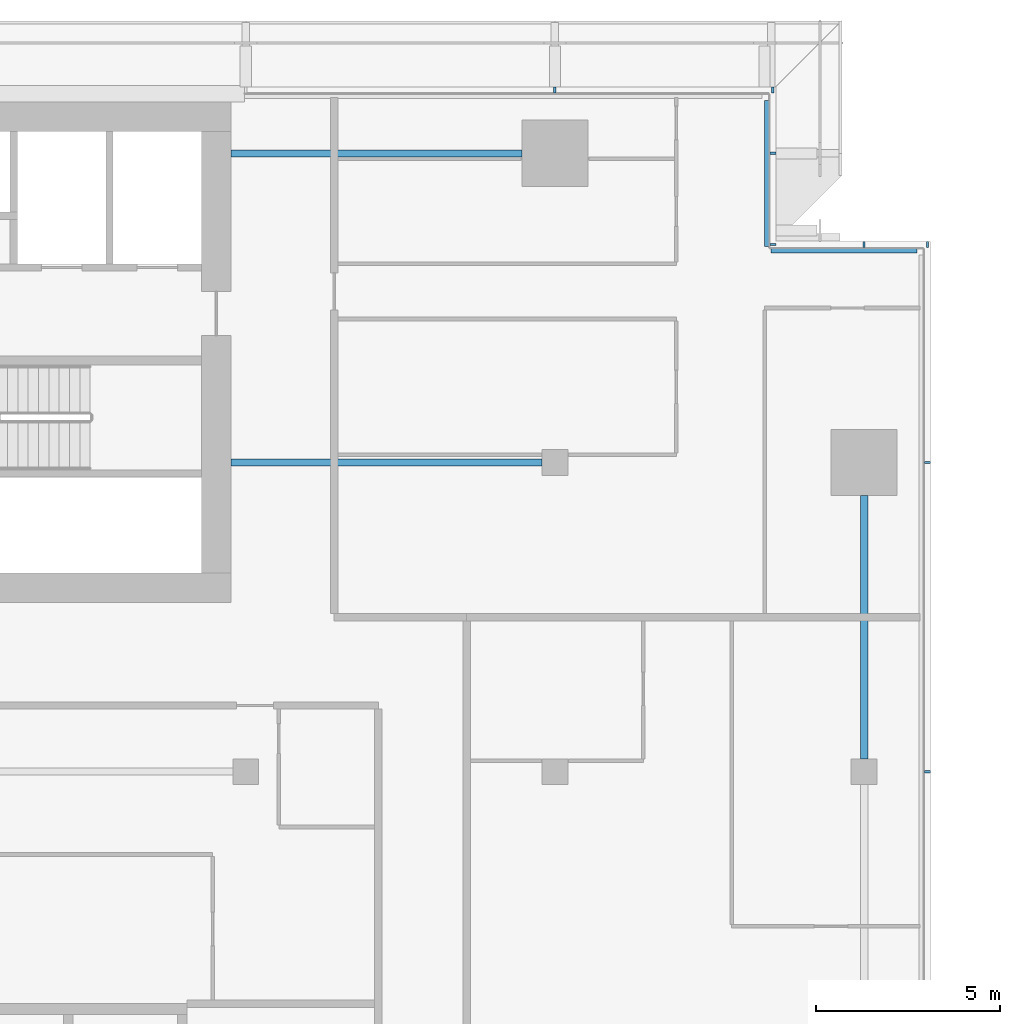
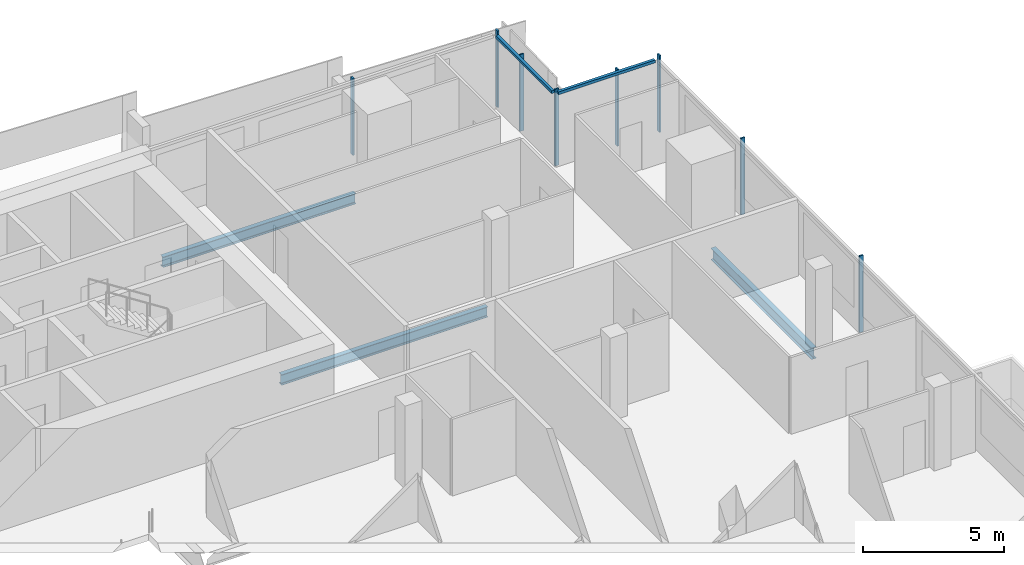
# One storey, part 13 of 30: 10 members, 3 beams, 4 elements without a shape of their own.
"""IFC4 building model written with IfcOpenShell, lengths in metres."""

from ifc_helpers import new_model, si_unit, direction, frame, origin, origin_2d, place, context, subcontext, project, spatial, rectangle, i_section, extrude, material, material_profile, profile_set, type_object, element, aggregate, save


model = new_model("IFC4")

# Units and contexts
model_context = context("Model", 3, precision=1e-05, world=origin(), true_north=direction((0.0, 1.0)))
body_context = subcontext(model_context, "Body", "Model", "MODEL_VIEW")
ifc_project = project(units=[si_unit("LENGTHUNIT", "METRE"), si_unit("AREAUNIT", "SQUARE_METRE"), si_unit("VOLUMEUNIT", "CUBIC_METRE"), si_unit("PLANEANGLEUNIT", "RADIAN"), si_unit("MASSUNIT", "GRAM", prefix="KILO")], contexts=[model_context])

# Site, building, storey
site_placement = place(None, origin())
site = spatial("IfcSite", under=ifc_project, at=site_placement, CompositionType="ELEMENT")
building_placement = place(site_placement, origin())
building = spatial("IfcBuilding", under=site, at=building_placement, Name="Saffron Gate Tower", CompositionType="ELEMENT")
storey_placement = place(building_placement, frame((0.0, 0.0, 169.050048828125)))
storey = spatial("IfcBuildingStorey", under=building, at=storey_placement, Name="L41", CompositionType="ELEMENT", Elevation=169.050048828125)

# Beams
ifc_material_1 = material(Name="Structural steel S355", Category="steel")
ifc_material_profile_1 = material_profile(ifc_material_1, i_section(OverallWidth=0.199951171875, OverallDepth=0.5, WebThickness=0.01025390625, FlangeThickness=0.01611328125, FilletRadius=0.02099609375, at=origin_2d()))
ifc_profile_set_1 = profile_set([ifc_material_profile_1], Name="Structural steel S355")
beam_type_1 = type_object("IfcBeamType", Name="B11 IPE 500", PredefinedType="SPANDREL", material=ifc_profile_set_1)
beam_1_placement = place(storey_placement, frame((125.39990234375, 57.35009765625, -0.530029296875), z_axis=(0.0, 1.0, 0.0), x_axis=(-1.0, 0.0, 0.0)))
element("IfcBeam", 1, at=beam_1_placement, inside=storey, type_object=beam_type_1, Name="B11 SPANDREL BEAM", PredefinedType="SPANDREL", context=body_context, shape_type="SweptSolid", body=[
    extrude(i_section(OverallWidth=0.199951171875, OverallDepth=0.5, WebThickness=0.01025390625, FlangeThickness=0.01611328125, FilletRadius=0.02099609375, at=origin_2d()), origin(), (0.0, 0.0, 1.0), 7.14990234375),
])
ifc_material_profile_2 = material_profile(ifc_material_1, i_section(OverallWidth=0.18994140625, OverallDepth=0.449951171875, WebThickness=0.009521484375, FlangeThickness=0.0146484375, FilletRadius=0.02099609375, at=origin_2d()))
ifc_profile_set_2 = profile_set([ifc_material_profile_2], Name="Structural steel S355")
beam_type_2 = type_object("IfcBeamType", Name="B6 IPE 450", PredefinedType="BEAM", material=ifc_profile_set_2)
beam_2_placement = place(storey_placement, frame((116.64990234375, 65.39990234375, -0.505126953125), z_axis=(-1.0, 0.0, 0.0), x_axis=(0.0, -1.0, 0.0)))
element("IfcBeam", 2, at=beam_2_placement, inside=storey, type_object=beam_type_2, Name="B6 CORE TIE BEAM", PredefinedType="BEAM", context=body_context, shape_type="SweptSolid", body=[
    extrude(i_section(OverallWidth=0.18994140625, OverallDepth=0.449951171875, WebThickness=0.009521484375, FlangeThickness=0.0146484375, FilletRadius=0.02099609375, at=origin_2d()), origin(), (0.0, 0.0, 1.0), 8.449951171875),
])
beam_3_placement = place(storey_placement, frame((116.10009765625, 73.800048828125, -0.505126953125), z_axis=(-1.0, 0.0, 0.0), x_axis=(0.0, -1.0, 0.0)))
element("IfcBeam", 3, at=beam_3_placement, inside=storey, type_object=beam_type_2, Name="B6 CORE TIE BEAM", PredefinedType="BEAM", context=body_context, shape_type="SweptSolid", body=[
    extrude(i_section(OverallWidth=0.18994140625, OverallDepth=0.449951171875, WebThickness=0.009521484375, FlangeThickness=0.0146484375, FilletRadius=0.02099609375, at=origin_2d()), origin(), (0.0, 0.0, 1.0), 7.900146484375),
])

# Curtain wall, members
ifc_material_2 = material(Name="Aluminium, bronze anodised", Category="aluminium")
curtain_wall_type_1 = type_object("IfcCurtainWallType", Name="CWS2 curtain wall side facades", PredefinedType="NOTDEFINED", material=ifc_material_2)
curtain_wall_1_placement = place(storey_placement, origin())
curtain_wall_1 = element("IfcCurtainWall", 4, at=curtain_wall_1_placement, inside=storey, type_object=curtain_wall_type_1, Name="CWS2 run 4", PredefinedType="NOTDEFINED")
ifc_material_profile_3 = material_profile(ifc_material_2, rectangle(XDim=0.159912109375, YDim=0.06005859375, at=origin_2d()))
ifc_profile_set_3 = profile_set([ifc_material_profile_3], Name="Aluminium, bronze anodised")
member_type_1 = type_object("IfcMemberType", Name="CWS2 mullion 60x160", PredefinedType="MULLION", material=ifc_profile_set_3)
member_1_placement = place(storey_placement, frame((127.1201171875, 57.0, 0.0), z_axis=(0.0, 0.0, 1.0), x_axis=(-1.0, 0.0, 0.0)))
member_1 = element("IfcMember", 5, at=member_1_placement, type_object=member_type_1, Name="CWS2 mullion 4", PredefinedType="MULLION", context=body_context, shape_type="SweptSolid", body=[
    extrude(rectangle(XDim=0.159912109375, YDim=0.06005859375, at=origin_2d()), origin(), (0.0, 0.0, 1.0), 3.320068359375),
])
member_2_placement = place(storey_placement, frame((127.1201171875, 65.39990234375, 0.0), z_axis=(0.0, 0.0, 1.0), x_axis=(-1.0, 0.0, 0.0)))
member_2 = element("IfcMember", 6, at=member_2_placement, type_object=member_type_1, Name="CWS2 mullion 5", PredefinedType="MULLION", context=body_context, shape_type="SweptSolid", body=[
    extrude(rectangle(XDim=0.159912109375, YDim=0.06005859375, at=origin_2d()), origin(), (0.0, 0.0, 1.0), 3.320068359375),
])
aggregate(curtain_wall_1, [member_1, member_2])

curtain_wall_type_2 = type_object("IfcCurtainWallType", Name="CWS3 curtain wall rear facade", PredefinedType="NOTDEFINED", material=ifc_material_2)
curtain_wall_2_placement = place(storey_placement, origin())
curtain_wall_2 = element("IfcCurtainWall", 7, at=curtain_wall_2_placement, inside=storey, type_object=curtain_wall_type_2, Name="CWS3 run 7", PredefinedType="NOTDEFINED")
ifc_material_profile_4 = material_profile(ifc_material_2, rectangle(XDim=0.159912109375, YDim=0.070068359375, at=origin_2d()))
ifc_profile_set_4 = profile_set([ifc_material_profile_4], Name="Aluminium, bronze anodised")
member_type_2 = type_object("IfcMemberType", Name="CWS3 mullion 70x160", PredefinedType="MULLION", material=ifc_profile_set_4)
member_3_placement = place(storey_placement, frame((122.919921875, 75.52001953125, 0.0), z_axis=(0.0, 0.0, 1.0), x_axis=(0.0, -1.0, 0.0)))
member_3 = element("IfcMember", 8, at=member_3_placement, type_object=member_type_2, Name="CWS3 mullion 1", PredefinedType="MULLION", context=body_context, shape_type="SweptSolid", body=[
    extrude(rectangle(XDim=0.159912109375, YDim=0.070068359375, at=origin_2d()), origin(), (0.0, 0.0, 1.0), 3.320068359375),
])
member_4_placement = place(storey_placement, frame((117.0, 75.52001953125, 0.0), z_axis=(0.0, 0.0, 1.0), x_axis=(0.0, -1.0, 0.0)))
member_4 = element("IfcMember", 9, at=member_4_placement, type_object=member_type_2, Name="CWS3 mullion 2", PredefinedType="MULLION", context=body_context, shape_type="SweptSolid", body=[
    extrude(rectangle(XDim=0.159912109375, YDim=0.070068359375, at=origin_2d()), origin(), (0.0, 0.0, 1.0), 3.320068359375),
])
aggregate(curtain_wall_2, [member_3, member_4])

# Curtain wall, member
curtain_wall_type_3 = type_object("IfcCurtainWallType", Name="CWS4 curtain wall corner returns", PredefinedType="NOTDEFINED", material=ifc_material_2)
curtain_wall_3_placement = place(storey_placement, origin())
curtain_wall_3 = element("IfcCurtainWall", 10, at=curtain_wall_3_placement, inside=storey, type_object=curtain_wall_type_3, Name="CWS4 run 5", PredefinedType="NOTDEFINED")
ifc_material_profile_5 = material_profile(ifc_material_2, rectangle(XDim=0.1201171875, YDim=0.1201171875, at=origin_2d()))
ifc_profile_set_5 = profile_set([ifc_material_profile_5], Name="Aluminium, bronze anodised")
member_type_3 = type_object("IfcMemberType", Name="CWS4 head transom", PredefinedType="USERDEFINED", material=ifc_profile_set_5)
member_5_placement = place(storey_placement, frame((126.83203125, 71.152099609375, 3.260009765625), z_axis=(-1.0, 0.0, 0.0), x_axis=(0.0, -1.0, 0.0)))
member_5 = element("IfcMember", 11, at=member_5_placement, type_object=member_type_3, Name="CWS4 head transom", ObjectType="TRANSOM", PredefinedType="USERDEFINED", context=body_context, shape_type="SweptSolid", body=[
    extrude(rectangle(XDim=0.1201171875, YDim=0.1201171875, at=origin_2d()), origin(), (0.0, 0.0, 1.0), 3.9599609375),
])

curtain_wall_4_placement = place(storey_placement, origin())
curtain_wall_4 = element("IfcCurtainWall", 12, at=curtain_wall_4_placement, inside=storey, type_object=curtain_wall_type_3, Name="CWS4 run 6", PredefinedType="NOTDEFINED")
member_6_placement = place(storey_placement, frame((122.751953125, 71.27197265625, 3.260009765625), z_axis=(0.0, 1.0, 0.0), x_axis=(-1.0, 0.0, 0.0)))
member_6 = element("IfcMember", 13, at=member_6_placement, type_object=member_type_3, Name="CWS4 head transom", ObjectType="TRANSOM", PredefinedType="USERDEFINED", context=body_context, shape_type="SweptSolid", body=[
    extrude(rectangle(XDim=0.1201171875, YDim=0.1201171875, at=origin_2d()), origin(), (0.0, 0.0, 1.0), 3.9599609375),
])

# Member
ifc_material_profile_6 = material_profile(ifc_material_2, rectangle(XDim=0.159912109375, YDim=0.06005859375, at=origin_2d()))
ifc_profile_set_6 = profile_set([ifc_material_profile_6], Name="Aluminium, bronze anodised")
member_type_4 = type_object("IfcMemberType", Name="CWS4 mullion 60x160", PredefinedType="MULLION", material=ifc_profile_set_6)
member_7_placement = place(storey_placement, frame((127.1201171875, 71.320068359375, 0.0), z_axis=(0.0, 0.0, 1.0), x_axis=(0.0, -1.0, 0.0)))
member_7 = element("IfcMember", 14, at=member_7_placement, type_object=member_type_4, Name="CWS4 mullion 1", PredefinedType="MULLION", context=body_context, shape_type="SweptSolid", body=[
    extrude(rectangle(XDim=0.159912109375, YDim=0.06005859375, at=origin_2d()), origin(), (0.0, 0.0, 1.0), 3.320068359375),
])

member_8_placement = place(storey_placement, frame((125.39990234375, 71.320068359375, 0.0), z_axis=(0.0, 0.0, 1.0), x_axis=(0.0, -1.0, 0.0)))
member_8 = element("IfcMember", 15, at=member_8_placement, type_object=member_type_4, Name="CWS4 mullion 2", PredefinedType="MULLION", context=body_context, shape_type="SweptSolid", body=[
    extrude(rectangle(XDim=0.159912109375, YDim=0.06005859375, at=origin_2d()), origin(), (0.0, 0.0, 1.0), 3.320068359375),
])

aggregate(curtain_wall_3, [member_7, member_8, member_5])

member_9_placement = place(storey_placement, frame((122.919921875, 71.320068359375, 0.0), z_axis=(0.0, 0.0, 1.0), x_axis=(-1.0, 0.0, 0.0)))
member_9 = element("IfcMember", 16, at=member_9_placement, type_object=member_type_4, Name="CWS4 mullion 1", PredefinedType="MULLION", context=body_context, shape_type="SweptSolid", body=[
    extrude(rectangle(XDim=0.159912109375, YDim=0.06005859375, at=origin_2d()), origin(), (0.0, 0.0, 1.0), 3.320068359375),
])

member_10_placement = place(storey_placement, frame((122.919921875, 73.800048828125, 0.0), z_axis=(0.0, 0.0, 1.0), x_axis=(-1.0, 0.0, 0.0)))
member_10 = element("IfcMember", 17, at=member_10_placement, type_object=member_type_4, Name="CWS4 mullion 2", PredefinedType="MULLION", context=body_context, shape_type="SweptSolid", body=[
    extrude(rectangle(XDim=0.159912109375, YDim=0.06005859375, at=origin_2d()), origin(), (0.0, 0.0, 1.0), 3.320068359375),
])

aggregate(curtain_wall_4, [member_9, member_10, member_6])

save(model, "model.ifc")
